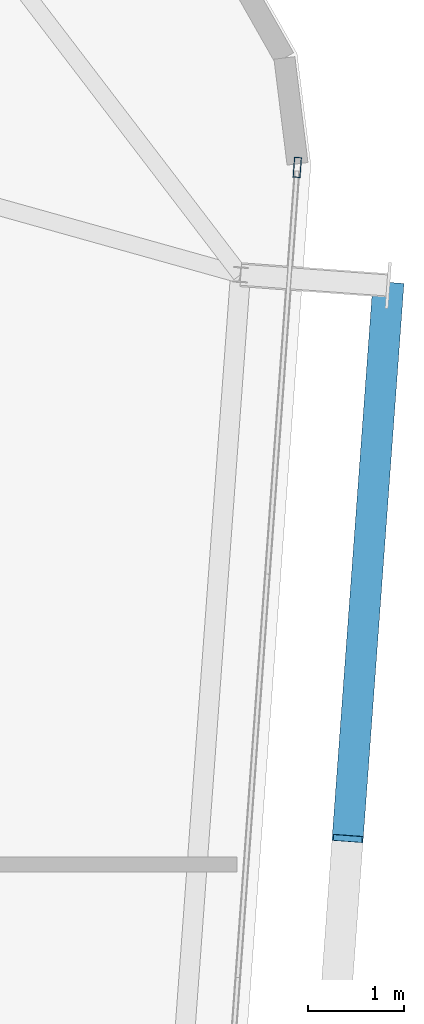
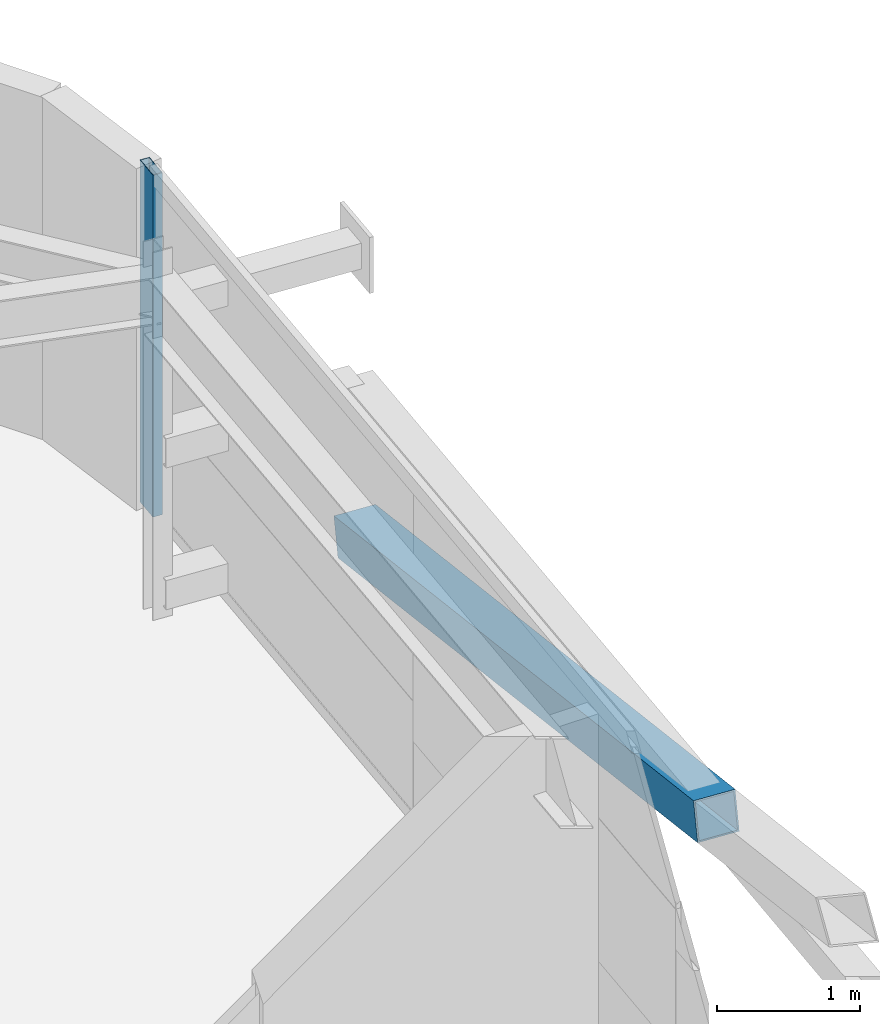
# One storey, part 23 of 39: 2 members, 1 element without a shape of its own.
"""IFC4 building model written with IfcOpenShell, lengths in metres."""

from ifc_helpers import new_model, si_unit, direction, frame, origin, origin_2d, place, context, subcontext, project, spatial, hollow_rectangle, extrude, source, transform, mapped, material, layer, layer_set, material_profile, profile_set, type_object, element, aggregate, save


model = new_model("IFC4")

# Units and contexts
model_context = context("Model", 3, precision=1e-05, world=origin(), true_north=direction((0.0, 1.0)))
body_context = subcontext(model_context, "Body", "Model", "MODEL_VIEW")
ifc_project = project(units=[si_unit("LENGTHUNIT", "METRE"), si_unit("AREAUNIT", "SQUARE_METRE"), si_unit("VOLUMEUNIT", "CUBIC_METRE"), si_unit("PLANEANGLEUNIT", "RADIAN"), si_unit("MASSUNIT", "GRAM", prefix="KILO")], contexts=[model_context])

# Site, building, storey
site_placement = place(None, origin())
site = spatial("IfcSite", under=ifc_project, at=site_placement, CompositionType="ELEMENT")
building_placement = place(site_placement, origin())
building = spatial("IfcBuilding", under=site, at=building_placement, Name="Taldren Reach Tower", CompositionType="ELEMENT")
storey_placement = place(building_placement, frame((0.0, 0.0, 230.300048828125)))
storey = spatial("IfcBuildingStorey", under=building, at=storey_placement, Name="L70", CompositionType="ELEMENT", Elevation=230.300048828125)

# Member
ifc_material_1 = material(Name="Steel Gr 450 (C450L0)", Category="steel")
ifc_material_profile_1 = material_profile(ifc_material_1, hollow_rectangle(XDim=0.324951171875, YDim=0.324951171875, WallThickness=0.0126953125, at=origin_2d()), Name="325x325x12.7SHS")
ifc_profile_set_1 = profile_set([ifc_material_profile_1], Name="Steel Gr 450 (C450L0)")
member_type_1 = type_object("IfcMemberType", Name="MB-BR324", PredefinedType="BRACE", material=ifc_profile_set_1)
shared_shape_1 = source(origin(), body_context, "Body", "SweptSolid", [
    extrude(hollow_rectangle(XDim=0.324951171875, YDim=0.324951171875, WallThickness=0.0126953125, at=origin_2d()), origin(), (0.0, 0.0, 1.0), 5.926025390625),
])
member_1_placement = place(storey_placement, frame((59.086669921875, 30.05517578125, 0.219970703125), z_axis=(-0.071685935393, -0.976123486939, 0.205046494513), x_axis=(0.997314185625, -0.073242167855, 0.0)))
element("IfcMember", 1, at=member_1_placement, inside=storey, type_object=member_type_1, Name="Exoskeleton Diagrid Brace B5-E2 L70", PredefinedType="BRACE", context=body_context, shape_type="MappedRepresentation", body=[
    mapped(shared_shape_1, transform((0.0, 0.0, 0.0), scale=1.0)),
])

# Curtain wall, member
ifc_material_2 = material(Name="Aluminium and Low-E Glass Unitised System", Category="aluminium")
ifc_layer = layer(ifc_material_2, 0.159912109375)
ifc_layer_set = layer_set([ifc_layer], Name="Aluminium and Low-E Glass Unitised System")
curtain_wall_type = type_object("IfcCurtainWallType", Name="CW-SYS-7", PredefinedType="NOTDEFINED", material=ifc_layer_set)
curtain_wall_placement = place(storey_placement, origin())
curtain_wall = element("IfcCurtainWall", 2, at=curtain_wall_placement, inside=storey, type_object=curtain_wall_type, Name="Unitised curtain wall CW-L70-E", PredefinedType="NOTDEFINED")
ifc_material_3 = material(Name="Anodised Aluminium 6063-T6", Category="aluminium")
ifc_material_profile_2 = material_profile(ifc_material_3, hollow_rectangle(XDim=0.074951171875, YDim=0.2099609375, WallThickness=0.00439453125, at=origin_2d()), Name="ALU-210x75x4.5RHS")
ifc_profile_set_2 = profile_set([ifc_material_profile_2], Name="Anodised Aluminium 6063-T6")
member_type_2 = type_object("IfcMemberType", Name="CW-MUL-200", PredefinedType="MULLION", material=ifc_profile_set_2)
shared_shape_2 = source(origin(), body_context, "Body", "SweptSolid", [
    extrude(hollow_rectangle(XDim=0.074951171875, YDim=0.2099609375, WallThickness=0.00439453125, at=origin_2d()), origin(), (0.0, 0.0, 1.0), 2.929931640625),
])
member_2_placement = place(storey_placement, frame((58.134765625, 31.29052734375, 0.0), z_axis=(0.0, 0.0, 1.0), x_axis=(-0.997314470951, 0.073238282558, 0.0)))
member_2 = element("IfcMember", 3, at=member_2_placement, type_object=member_type_2, Name="CW-7 mullion 3", PredefinedType="MULLION", context=body_context, shape_type="MappedRepresentation", body=[
    mapped(shared_shape_2, transform((0.0, 0.0, 0.0), scale=1.0)),
])
aggregate(curtain_wall, [member_2])

save(model, "model.ifc")
